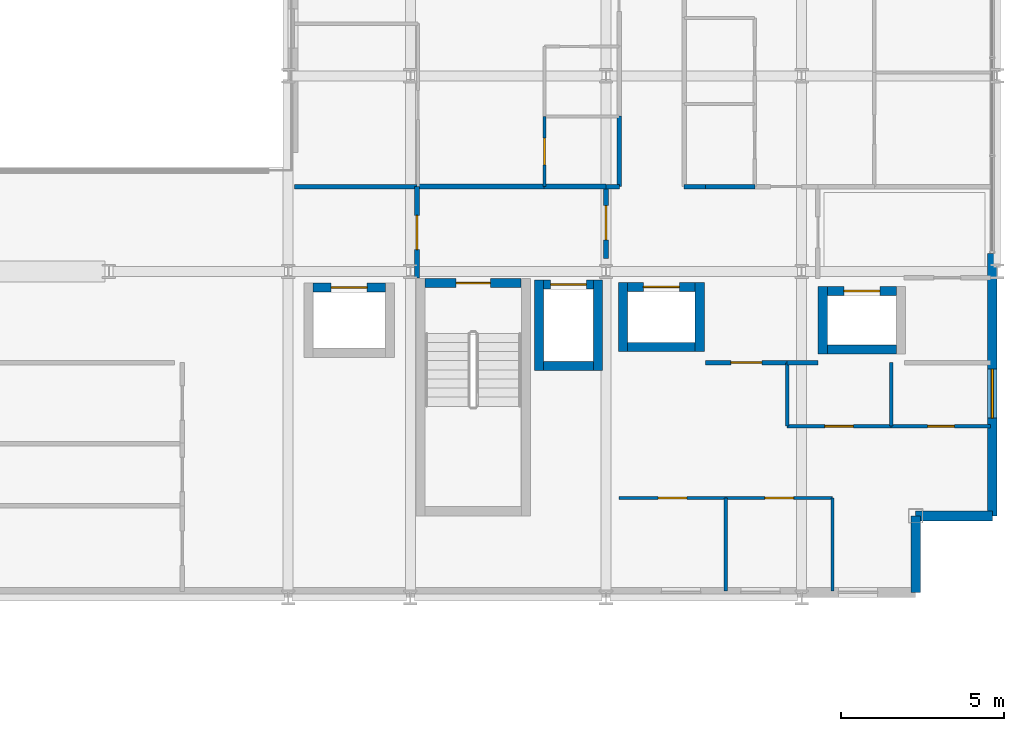
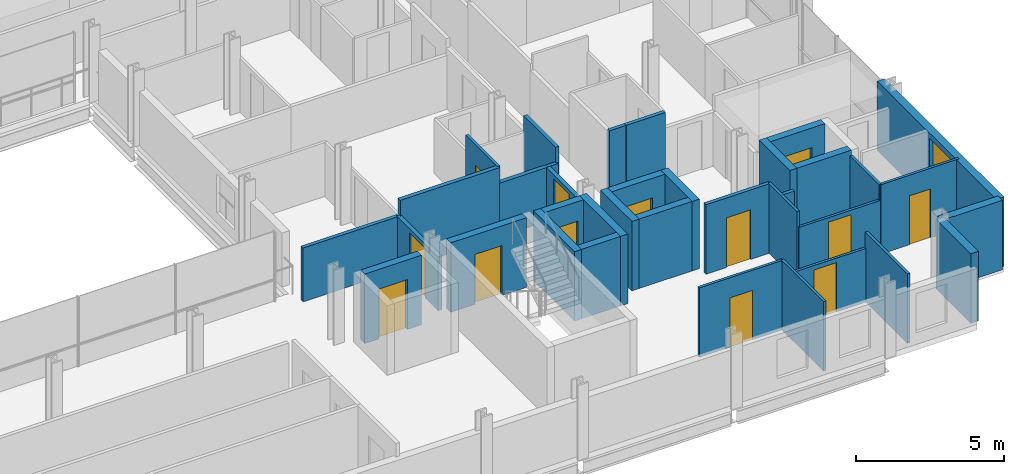
# One storey, part 34 of 40: 36 walls, 13 doors, 1 window, 14 openings.
"""IFC4 building model written with IfcOpenShell, lengths in metres."""

from ifc_helpers import new_model, si_unit, direction, frame, frame_2d, origin, place, context, subcontext, project, spatial, rectangle, extrude, material, layer, layer_set, type_object, element, fill, save


model = new_model("IFC4")

# Units and contexts
model_context = context("Model", 3, precision=1e-05, world=origin(), true_north=direction((0.0, 1.0)))
body_context = subcontext(model_context, "Body", "Model", "MODEL_VIEW")
ifc_project = project(units=[si_unit("LENGTHUNIT", "METRE"), si_unit("AREAUNIT", "SQUARE_METRE"), si_unit("VOLUMEUNIT", "CUBIC_METRE"), si_unit("PLANEANGLEUNIT", "RADIAN"), si_unit("MASSUNIT", "GRAM", prefix="KILO")], contexts=[model_context])

# Site, building, storey
site_placement = place(None, origin())
site = spatial("IfcSite", under=ifc_project, at=site_placement, CompositionType="ELEMENT")
building_placement = place(site_placement, origin())
building = spatial("IfcBuilding", under=site, at=building_placement, Name="Brevholm Reach", CompositionType="ELEMENT")
storey_placement = place(building_placement, frame((0.0, 0.0, 62.10009765625)))
storey = spatial("IfcBuildingStorey", under=building, at=storey_placement, Name="L17", CompositionType="ELEMENT", Elevation=62.10009765625)

# Wall, opening, door
ifc_material_1 = material(Name="Concrete C50/60", Category="concrete")
ifc_layer_1 = layer(ifc_material_1, 0.280029296875)
ifc_layer_set_1 = layer_set([ifc_layer_1], Name="Concrete C50/60")
wall_type_1 = type_object("IfcWallType", Name="WAL-COR-280", PredefinedType="SHEAR", material=ifc_layer_set_1)
wall_1_placement = place(storey_placement, frame((45.39990234375, 9.639892578125, 0.0), z_axis=(0.0, 0.0, 1.0), x_axis=(-1.0, 0.0, 0.0)))
wall_1 = element("IfcWall", 1, at=wall_1_placement, inside=storey, type_object=wall_type_1, Name="L17 Escape Stair ST-2 Core Wall N", PredefinedType="SHEAR", context=body_context, shape_type="SweptSolid", body=[
    extrude(rectangle(XDim=2.949951171875, YDim=0.280029296875, at=frame_2d((1.47509765625, 0.0))), origin(), (0.0, 0.0, 1.0), 2.869873046875),
])
opening_1_placement = place(wall_1_placement, frame((0.949951171875, 0.0, 0.0)))
opening_1 = element("IfcOpeningElement", 2, at=opening_1_placement, cuts=wall_1, Name="Opening SD-ST-2", PredefinedType="OPENING", context=body_context, shape_type="SweptSolid", body=[
    extrude(rectangle(XDim=1.050048828125, YDim=2.06005859375, at=frame_2d((0.52490234375, 1.030029296875))), frame((0.0, 0.14990234375, 0.0), z_axis=(0.0, -1.0, 0.0), x_axis=(1.0, 0.0, 0.0)), (0.0, 0.0, 1.0), 0.300048828125),
])
ifc_material_2 = material(Name="Hardwood-Lipped Steel-Core Fire and Smoke Door", Category="steel")
door_type_1 = type_object("IfcDoorType", Name="DOR-INT-FD60S", OperationType="NOTDEFINED", PredefinedType="DOOR", material=ifc_material_2)
door_1_placement = place(opening_1_placement, origin())
door_1 = element("IfcDoor", 3, at=door_1_placement, inside=storey, type_object=door_type_1, Name="L17 Protected Stair ST-2 Lobby Door", OperationType="SINGLE_SWING_RIGHT", OverallHeight=2.06005859375, OverallWidth=1.050048828125, PredefinedType="DOOR", context=body_context, shape_type="SweptSolid", body=[
    extrude(rectangle(XDim=1.050048828125, YDim=2.06005859375, at=frame_2d((0.52490234375, 1.030029296875))), frame((0.0, 0.02490234375, 0.0), z_axis=(0.0, -1.0, 0.0), x_axis=(1.0, 0.0, 0.0)), (0.0, 0.0, 1.0), 0.050048828125),
])
fill(opening_1, door_1)

# Walls
for number, where, z_axis, x_axis, name in (
    (4, (45.949951171875, 6.9599609375, 0.0), (0.0, 0.0, 1.0), (0.0, 1.0, 0.0), "L17 Lift FFL-2 Shaft Wall W"),
    (5, (47.75, 6.9599609375, 0.0), (0.0, 0.0, 1.0), (0.0, 1.0, 0.0), "L17 Lift FFL-2 Shaft Wall E"),
):
    element("IfcWall", number, at=place(storey_placement, frame(where, z_axis=z_axis, x_axis=x_axis)), inside=storey, type_object=wall_type_1, Name=name, PredefinedType="SHEAR", context=body_context, shape_type="SweptSolid", body=[
        extrude(rectangle(XDim=2.780029296875, YDim=0.280029296875, at=frame_2d((1.39013671875, 0.0))), origin(), (0.0, 0.0, 1.0), 2.869873046875),
    ])
wall_2_placement = place(storey_placement, frame((46.090087890625, 7.10009765625, 0.0), z_axis=(0.0, 0.0, 1.0), x_axis=(1.0, 0.0, 0.0)))
element("IfcWall", 6, at=wall_2_placement, inside=storey, type_object=wall_type_1, Name="L17 Lift FFL-2 Shaft Wall S", PredefinedType="SHEAR", context=body_context, shape_type="SweptSolid", body=[
    extrude(rectangle(XDim=1.52001953125, YDim=0.280029296875, at=frame_2d((0.760009765625, 0.0))), origin(), (0.0, 0.0, 1.0), 2.869873046875),
])

# Wall, opening, door
wall_3_placement = place(storey_placement, frame((46.090087890625, 9.60009765625, 0.0), z_axis=(0.0, 0.0, 1.0), x_axis=(1.0, 0.0, 0.0)))
wall_3 = element("IfcWall", 7, at=wall_3_placement, inside=storey, type_object=wall_type_1, Name="L17 Lift FFL-2 Shaft Wall N", PredefinedType="SHEAR", context=body_context, shape_type="SweptSolid", body=[
    extrude(rectangle(XDim=1.52001953125, YDim=0.280029296875, at=frame_2d((0.760009765625, 0.0))), origin(), (0.0, 0.0, 1.0), 2.869873046875),
])
opening_2_placement = place(wall_3_placement, frame((0.2099609375, 0.0, 0.0)))
opening_2 = element("IfcOpeningElement", 8, at=opening_2_placement, cuts=wall_3, Name="Opening LD-FFL-2", PredefinedType="OPENING", context=body_context, shape_type="SweptSolid", body=[
    extrude(rectangle(XDim=1.10009765625, YDim=2.06005859375, at=frame_2d((0.550048828125, 1.030029296875))), frame((0.0, 0.14990234375, 0.0), z_axis=(0.0, -1.0, 0.0), x_axis=(1.0, 0.0, 0.0)), (0.0, 0.0, 1.0), 0.300048828125),
])
ifc_material_3 = material(Name="Brushed Stainless Steel Fire-Rated Sliding Lift Door", Category="steel")
door_type_2 = type_object("IfcDoorType", Name="DOR-LFT-1100", OperationType="NOTDEFINED", PredefinedType="DOOR", material=ifc_material_3)
door_2_placement = place(opening_2_placement, origin())
door_2 = element("IfcDoor", 9, at=door_2_placement, inside=storey, type_object=door_type_2, Name="L17 Lift FFL-2 Sliding Landing Door", OperationType="SLIDING_TO_RIGHT", OverallHeight=2.06005859375, OverallWidth=1.10009765625, PredefinedType="DOOR", context=body_context, shape_type="SweptSolid", body=[
    extrude(rectangle(XDim=1.10009765625, YDim=2.06005859375, at=frame_2d((0.550048828125, 1.030029296875))), frame((0.0, 0.02490234375, 0.0), z_axis=(0.0, -1.0, 0.0), x_axis=(1.0, 0.0, 0.0)), (0.0, 0.0, 1.0), 0.050048828125),
])
fill(opening_2, door_2)

# Walls
for number, where, z_axis, x_axis, name in (
    (10, (48.52490234375, 7.534912109375, 0.0), (0.0, 0.0, 1.0), (0.0, 1.0, 0.0), "L17 Lift PL-L1 Shaft Wall W"),
    (11, (50.875, 7.534912109375, 0.0), (0.0, 0.0, 1.0), (0.0, 1.0, 0.0), "L17 Lift PL-L1 Shaft Wall E"),
):
    element("IfcWall", number, at=place(storey_placement, frame(where, z_axis=z_axis, x_axis=x_axis)), inside=storey, type_object=wall_type_1, Name=name, PredefinedType="SHEAR", context=body_context, shape_type="SweptSolid", body=[
        extrude(rectangle(XDim=2.130126953125, YDim=0.280029296875, at=frame_2d((1.06494140625, 0.0))), origin(), (0.0, 0.0, 1.0), 2.869873046875),
    ])
wall_4_placement = place(storey_placement, frame((48.6650390625, 7.675048828125, 0.0), z_axis=(0.0, 0.0, 1.0), x_axis=(1.0, 0.0, 0.0)))
element("IfcWall", 12, at=wall_4_placement, inside=storey, type_object=wall_type_1, Name="L17 Lift PL-L1 Shaft Wall S", PredefinedType="SHEAR", context=body_context, shape_type="SweptSolid", body=[
    extrude(rectangle(XDim=2.070068359375, YDim=0.280029296875, at=frame_2d((1.03515625, 0.0))), origin(), (0.0, 0.0, 1.0), 2.869873046875),
])

# Wall, opening, door
wall_5_placement = place(storey_placement, frame((48.6650390625, 9.52490234375, 0.0), z_axis=(0.0, 0.0, 1.0), x_axis=(1.0, 0.0, 0.0)))
wall_5 = element("IfcWall", 13, at=wall_5_placement, inside=storey, type_object=wall_type_1, Name="L17 Lift PL-L1 Shaft Wall N", PredefinedType="SHEAR", context=body_context, shape_type="SweptSolid", body=[
    extrude(rectangle(XDim=2.070068359375, YDim=0.280029296875, at=frame_2d((1.03515625, 0.0))), origin(), (0.0, 0.0, 1.0), 2.869873046875),
])
opening_3_placement = place(wall_5_placement, frame((0.485107421875, 0.0, 0.0)))
opening_3 = element("IfcOpeningElement", 14, at=opening_3_placement, cuts=wall_5, Name="Opening LD-PL-L1", PredefinedType="OPENING", context=body_context, shape_type="SweptSolid", body=[
    extrude(rectangle(XDim=1.10009765625, YDim=2.06005859375, at=frame_2d((0.550048828125, 1.030029296875))), frame((0.0, 0.14990234375, 0.0), z_axis=(0.0, -1.0, 0.0), x_axis=(1.0, 0.0, 0.0)), (0.0, 0.0, 1.0), 0.300048828125),
])
door_3_placement = place(opening_3_placement, origin())
door_3 = element("IfcDoor", 15, at=door_3_placement, inside=storey, type_object=door_type_2, Name="L17 Lift PL-L1 Sliding Landing Door", OperationType="SLIDING_TO_LEFT", OverallHeight=2.06005859375, OverallWidth=1.10009765625, PredefinedType="DOOR", context=body_context, shape_type="SweptSolid", body=[
    extrude(rectangle(XDim=1.10009765625, YDim=2.06005859375, at=frame_2d((0.550048828125, 1.030029296875))), frame((0.0, 0.02490234375, 0.0), z_axis=(0.0, -1.0, 0.0), x_axis=(1.0, 0.0, 0.0)), (0.0, 0.0, 1.0), 0.050048828125),
])
fill(opening_3, door_3)

# Walls
wall_6_placement = place(storey_placement, frame((54.64990234375, 7.4599609375, 0.0), z_axis=(0.0, 0.0, 1.0), x_axis=(0.0, 1.0, 0.0)))
element("IfcWall", 16, at=wall_6_placement, inside=storey, type_object=wall_type_1, Name="L17 Lift PL-L2 Shaft Wall W", PredefinedType="SHEAR", context=body_context, shape_type="SweptSolid", body=[
    extrude(rectangle(XDim=2.080078125, YDim=0.280029296875, at=frame_2d((1.0400390625, 0.0))), origin(), (0.0, 0.0, 1.0), 2.869873046875),
])
wall_7_placement = place(storey_placement, frame((54.7900390625, 7.60009765625, 0.0), z_axis=(0.0, 0.0, 1.0), x_axis=(1.0, 0.0, 0.0)))
element("IfcWall", 17, at=wall_7_placement, inside=storey, type_object=wall_type_1, Name="L17 Lift PL-L2 Shaft Wall S", PredefinedType="SHEAR", context=body_context, shape_type="SweptSolid", body=[
    extrude(rectangle(XDim=2.119873046875, YDim=0.280029296875, at=frame_2d((1.06005859375, 0.0))), origin(), (0.0, 0.0, 1.0), 2.869873046875),
])

# Wall, opening, door
wall_8_placement = place(storey_placement, frame((54.7900390625, 9.39990234375, 0.0), z_axis=(0.0, 0.0, 1.0), x_axis=(1.0, 0.0, 0.0)))
wall_8 = element("IfcWall", 18, at=wall_8_placement, inside=storey, type_object=wall_type_1, Name="L17 Lift PL-L2 Shaft Wall N", PredefinedType="SHEAR", context=body_context, shape_type="SweptSolid", body=[
    extrude(rectangle(XDim=2.119873046875, YDim=0.280029296875, at=frame_2d((1.06005859375, 0.0))), origin(), (0.0, 0.0, 1.0), 2.869873046875),
])
opening_4_placement = place(wall_8_placement, frame((0.510009765625, 0.0, 0.0)))
opening_4 = element("IfcOpeningElement", 19, at=opening_4_placement, cuts=wall_8, Name="Opening LD-PL-L2", PredefinedType="OPENING", context=body_context, shape_type="SweptSolid", body=[
    extrude(rectangle(XDim=1.10009765625, YDim=2.06005859375, at=frame_2d((0.550048828125, 1.030029296875))), frame((0.0, 0.14990234375, 0.0), z_axis=(0.0, -1.0, 0.0), x_axis=(1.0, 0.0, 0.0)), (0.0, 0.0, 1.0), 0.300048828125),
])
door_4_placement = place(opening_4_placement, origin())
door_4 = element("IfcDoor", 20, at=door_4_placement, inside=storey, type_object=door_type_2, Name="L17 Lift PL-L2 Sliding Landing Door", OperationType="SLIDING_TO_RIGHT", OverallHeight=2.06005859375, OverallWidth=1.10009765625, PredefinedType="DOOR", context=body_context, shape_type="SweptSolid", body=[
    extrude(rectangle(XDim=1.10009765625, YDim=2.06005859375, at=frame_2d((0.550048828125, 1.030029296875))), frame((0.0, 0.02490234375, 0.0), z_axis=(0.0, -1.0, 0.0), x_axis=(1.0, 0.0, 0.0)), (0.0, 0.0, 1.0), 0.050048828125),
])
fill(opening_4, door_4)

wall_9_placement = place(storey_placement, frame((39.010009765625, 9.5, 0.0), z_axis=(0.0, 0.0, 1.0), x_axis=(1.0, 0.0, 0.0)))
wall_9 = element("IfcWall", 21, at=wall_9_placement, inside=storey, type_object=wall_type_1, Name="L17 Lift PL-S1 Shaft Wall N", PredefinedType="SHEAR", context=body_context, shape_type="SweptSolid", body=[
    extrude(rectangle(XDim=2.219970703125, YDim=0.280029296875, at=frame_2d((1.10986328125, 0.0))), origin(), (0.0, 0.0, 1.0), 2.869873046875),
])
opening_5_placement = place(wall_9_placement, frame((0.56005859375, 0.0, 0.0)))
opening_5 = element("IfcOpeningElement", 22, at=opening_5_placement, cuts=wall_9, Name="Opening LD-PL-S1", PredefinedType="OPENING", context=body_context, shape_type="SweptSolid", body=[
    extrude(rectangle(XDim=1.10009765625, YDim=2.06005859375, at=frame_2d((0.550048828125, 1.030029296875))), frame((0.0, 0.14990234375, 0.0), z_axis=(0.0, -1.0, 0.0), x_axis=(1.0, 0.0, 0.0)), (0.0, 0.0, 1.0), 0.300048828125),
])
door_5_placement = place(opening_5_placement, origin())
door_5 = element("IfcDoor", 23, at=door_5_placement, inside=storey, type_object=door_type_2, Name="L17 Lift PL-S1 Sliding Landing Door", OperationType="SLIDING_TO_LEFT", OverallHeight=2.06005859375, OverallWidth=1.10009765625, PredefinedType="DOOR", context=body_context, shape_type="SweptSolid", body=[
    extrude(rectangle(XDim=1.10009765625, YDim=2.06005859375, at=frame_2d((0.550048828125, 1.030029296875))), frame((0.0, 0.02490234375, 0.0), z_axis=(0.0, -1.0, 0.0), x_axis=(1.0, 0.0, 0.0)), (0.0, 0.0, 1.0), 0.050048828125),
])
fill(opening_5, door_5)

# Walls
ifc_material_4 = material(Name="Concrete C40/50", Category="concrete")
ifc_layer_2 = layer(ifc_material_4, 0.300048828125)
ifc_layer_set_2 = layer_set([ifc_layer_2], Name="Concrete C40/50")
wall_type_2 = type_object("IfcWallType", Name="WAL-EXT-300", PredefinedType="STANDARD", material=ifc_layer_set_2)
for number, where, z_axis, x_axis, name in (
    (24, (57.5, 0.14990234375, 0.0), (0.0, 0.0, 1.0), (0.0, 1.0, 0.0), "L17 Facade Wall WAL-L17-CSE1"),
    (25, (57.5, 2.5, 0.0), (0.0, 0.0, 1.0), (1.0, 0.0, 0.0), "L17 Facade Wall WAL-L17-CSE2"),
):
    element("IfcWall", number, at=place(storey_placement, frame(where, z_axis=z_axis, x_axis=x_axis)), inside=storey, type_object=wall_type_2, Name=name, PredefinedType="STANDARD", context=body_context, shape_type="SweptSolid", body=[
        extrude(rectangle(XDim=2.35009765625, YDim=0.300048828125, at=frame_2d((1.175048828125, 0.0))), origin(), (0.0, 0.0, 1.0), 2.869873046875),
    ])

# Wall, opening, window
wall_10_placement = place(storey_placement, frame((59.85009765625, 2.5, 0.0), z_axis=(0.0, 0.0, 1.0), x_axis=(0.0, 1.0, 0.0)))
wall_10 = element("IfcWall", 26, at=wall_10_placement, inside=storey, type_object=wall_type_2, Name="L17 Facade Wall WAL-L17-E-S", PredefinedType="STANDARD", context=body_context, shape_type="SweptSolid", body=[
    extrude(rectangle(XDim=8.050048828125, YDim=0.300048828125, at=frame_2d((4.02490234375, 0.0))), origin(), (0.0, 0.0, 1.0), 2.869873046875),
])
opening_6_placement = place(wall_10_placement, frame((3.0, 0.0, 0.85009765625)))
opening_6 = element("IfcOpeningElement", 27, at=opening_6_placement, cuts=wall_10, Name="Opening WN-05", PredefinedType="OPENING", context=body_context, shape_type="SweptSolid", body=[
    extrude(rectangle(XDim=1.5, YDim=1.800048828125, at=frame_2d((0.75, 0.89990234375))), frame((0.0, 0.159912109375, 0.0), z_axis=(0.0, -1.0, 0.0), x_axis=(1.0, 0.0, 0.0)), (0.0, 0.0, 1.0), 0.320068359375),
])
ifc_material_5 = material(Name="Dark Anodised Aluminium and Solar-Control IGU Glass", Category="aluminium")
window_type = type_object("IfcWindowType", Name="WIN-RES-1500", PartitioningType="SINGLE_PANEL", PredefinedType="WINDOW", material=ifc_material_5)
window_placement = place(opening_6_placement, origin())
window = element("IfcWindow", 28, at=window_placement, inside=storey, type_object=window_type, Name="L17 Window WIN-L17-ES-1", OverallHeight=1.800048828125, OverallWidth=1.5, PartitioningType="SINGLE_PANEL", PredefinedType="WINDOW", context=body_context, shape_type="SweptSolid", body=[
    extrude(rectangle(XDim=1.5, YDim=1.800048828125, at=frame_2d((0.75, 0.89990234375))), frame((0.0, 0.030029296875, 0.0), z_axis=(0.0, -1.0, 0.0), x_axis=(1.0, 0.0, 0.0)), (0.0, 0.0, 1.0), 0.06005859375),
])
fill(opening_6, window)

# Wall
ifc_material_6 = material(Name="Moisture-Resistant Acoustic Gypsum Stud Partition 100 mm", Category="gypsum")
ifc_layer_3 = layer(ifc_material_6, 0.10009765625)
ifc_layer_set_3 = layer_set([ifc_layer_3], Name="Moisture-Resistant Acoustic Gypsum Stud Partition 100 mm")
wall_type_3 = type_object("IfcWallType", Name="WAL-PRT-100", PredefinedType="PARTITIONING", material=ifc_layer_set_3)
wall_11_placement = place(storey_placement, frame((56.75, 5.25, 0.0), z_axis=(0.0, 0.0, 1.0), x_axis=(0.0, 1.0, 0.0)))
element("IfcWall", 29, at=wall_11_placement, inside=storey, type_object=wall_type_3, Name="L17 Internal Partition 076", PredefinedType="PARTITIONING", context=body_context, shape_type="SweptSolid", body=[
    extrude(rectangle(XDim=1.949951171875, YDim=0.10009765625, at=frame_2d((0.97509765625, 0.0))), origin(), (0.0, 0.0, 1.0), 2.869873046875),
])

# Wall, opening, door
wall_12_placement = place(storey_placement, frame((56.75, 5.25, 0.0), z_axis=(0.0, 0.0, 1.0), x_axis=(1.0, 0.0, 0.0)))
wall_12 = element("IfcWall", 30, at=wall_12_placement, inside=storey, type_object=wall_type_3, Name="L17 Internal Partition 077", PredefinedType="PARTITIONING", context=body_context, shape_type="SweptSolid", body=[
    extrude(rectangle(XDim=3.050048828125, YDim=0.10009765625, at=frame_2d((1.52490234375, 0.0))), origin(), (0.0, 0.0, 1.0), 2.869873046875),
])
opening_7_placement = place(wall_12_placement, frame((1.114990234375, 0.0, 0.0)))
opening_7 = element("IfcOpeningElement", 31, at=opening_7_placement, cuts=wall_12, Name="Opening ID-03", PredefinedType="OPENING", context=body_context, shape_type="SweptSolid", body=[
    extrude(rectangle(XDim=0.820068359375, YDim=2.02001953125, at=frame_2d((0.41015625, 1.010009765625))), frame((0.0, 0.06005859375, 0.0), z_axis=(0.0, -1.0, 0.0), x_axis=(1.0, 0.0, 0.0)), (0.0, 0.0, 1.0), 0.1201171875),
])
ifc_material_7 = material(Name="Moisture-Resistant Painted Timber Internal Bathroom Door", Category="wood")
door_type_3 = type_object("IfcDoorType", Name="DOR-BATH-820", OperationType="NOTDEFINED", PredefinedType="DOOR", material=ifc_material_7)
door_6_placement = place(opening_7_placement, origin())
door_6 = element("IfcDoor", 32, at=door_6_placement, inside=storey, type_object=door_type_3, Name="L17 Internal Door 026", OperationType="SINGLE_SWING_RIGHT", OverallHeight=2.02001953125, OverallWidth=0.820068359375, PredefinedType="DOOR", context=body_context, shape_type="SweptSolid", body=[
    extrude(rectangle(XDim=0.820068359375, YDim=2.02001953125, at=frame_2d((0.41015625, 1.010009765625))), frame((0.0, 0.02490234375, 0.0), z_axis=(0.0, -1.0, 0.0), x_axis=(1.0, 0.0, 0.0)), (0.0, 0.0, 1.0), 0.050048828125),
])
fill(opening_7, door_6)

wall_13_placement = place(storey_placement, frame((53.55810546875, 5.25, 0.0), z_axis=(0.0, 0.0, 1.0), x_axis=(1.0, 0.0, 0.0)))
wall_13 = element("IfcWall", 33, at=wall_13_placement, inside=storey, type_object=wall_type_3, Name="L17 Internal Partition 078", PredefinedType="PARTITIONING", context=body_context, shape_type="SweptSolid", body=[
    extrude(rectangle(XDim=3.18798828125, YDim=0.10009765625, at=frame_2d((1.593994140625, 0.0))), origin(), (0.0, 0.0, 1.0), 2.224609375),
])
opening_8_placement = place(wall_13_placement, frame((1.154052734375, 0.0, 0.0)))
opening_8 = element("IfcOpeningElement", 34, at=opening_8_placement, cuts=wall_13, Name="Opening ID-01", PredefinedType="OPENING", context=body_context, shape_type="SweptSolid", body=[
    extrude(rectangle(XDim=0.8798828125, YDim=2.0400390625, at=frame_2d((0.43994140625, 1.02001953125))), frame((0.0, 0.06005859375, 0.0), z_axis=(0.0, -1.0, 0.0), x_axis=(1.0, 0.0, 0.0)), (0.0, 0.0, 1.0), 0.1201171875),
])
ifc_material_8 = material(Name="Lacquered Ash Solid-Core Acoustic Internal Door", Category="timber")
door_type_4 = type_object("IfcDoorType", Name="DOR-INT-880", OperationType="NOTDEFINED", PredefinedType="DOOR", material=ifc_material_8)
door_7_placement = place(opening_8_placement, origin())
door_7 = element("IfcDoor", 35, at=door_7_placement, inside=storey, type_object=door_type_4, Name="L17 Internal Door 027", OperationType="SINGLE_SWING_LEFT", OverallHeight=2.0400390625, OverallWidth=0.8798828125, PredefinedType="DOOR", context=body_context, shape_type="SweptSolid", body=[
    extrude(rectangle(XDim=0.8798828125, YDim=2.0400390625, at=frame_2d((0.43994140625, 1.02001953125))), frame((0.0, 0.02490234375, 0.0), z_axis=(0.0, -1.0, 0.0), x_axis=(1.0, 0.0, 0.0)), (0.0, 0.0, 1.0), 0.050048828125),
])
fill(opening_8, door_7)

# Walls
wall_14_placement = place(storey_placement, frame((53.55810546875, 5.25, 0.0), z_axis=(0.0, 0.0, 1.0), x_axis=(0.0, 1.0, 0.0)))
element("IfcWall", 36, at=wall_14_placement, inside=storey, type_object=wall_type_3, Name="L17 Internal Partition 079", PredefinedType="PARTITIONING", context=body_context, shape_type="SweptSolid", body=[
    extrude(rectangle(XDim=1.946044921875, YDim=0.10009765625, at=frame_2d((0.97314453125, 0.0))), origin(), (0.0, 0.0, 1.0), 2.869873046875),
])
wall_15_placement = place(storey_placement, frame((51.675048828125, 0.199951171875, 0.0), z_axis=(0.0, 0.0, 1.0), x_axis=(0.0, 1.0, 0.0)))
element("IfcWall", 37, at=wall_15_placement, inside=storey, type_object=wall_type_3, Name="L17 Internal Partition 080", PredefinedType="PARTITIONING", context=body_context, shape_type="SweptSolid", body=[
    extrude(rectangle(XDim=2.85009765625, YDim=0.10009765625, at=frame_2d((1.425048828125, 0.0))), origin(), (0.0, 0.0, 1.0), 2.869873046875),
])

# Wall, opening, door
wall_16_placement = place(storey_placement, frame((48.39990234375, 3.050048828125, 0.0), z_axis=(0.0, 0.0, 1.0), x_axis=(1.0, 0.0, 0.0)))
wall_16 = element("IfcWall", 38, at=wall_16_placement, inside=storey, type_object=wall_type_3, Name="L17 Internal Partition 081", PredefinedType="PARTITIONING", context=body_context, shape_type="SweptSolid", body=[
    extrude(rectangle(XDim=3.275146484375, YDim=0.10009765625, at=frame_2d((1.6376953125, 0.0))), origin(), (0.0, 0.0, 1.0), 2.869873046875),
])
opening_9_placement = place(wall_16_placement, frame((1.197509765625, 0.0, 0.0)))
opening_9 = element("IfcOpeningElement", 39, at=opening_9_placement, cuts=wall_16, Name="Opening ID-01", PredefinedType="OPENING", context=body_context, shape_type="SweptSolid", body=[
    extrude(rectangle(XDim=0.8798828125, YDim=2.0400390625, at=frame_2d((0.43994140625, 1.02001953125))), frame((0.0, 0.06005859375, 0.0), z_axis=(0.0, -1.0, 0.0), x_axis=(1.0, 0.0, 0.0)), (0.0, 0.0, 1.0), 0.1201171875),
])
door_8_placement = place(opening_9_placement, origin())
door_8 = element("IfcDoor", 40, at=door_8_placement, inside=storey, type_object=door_type_4, Name="L17 Internal Door 028", OperationType="SINGLE_SWING_RIGHT", OverallHeight=2.0400390625, OverallWidth=0.8798828125, PredefinedType="DOOR", context=body_context, shape_type="SweptSolid", body=[
    extrude(rectangle(XDim=0.8798828125, YDim=2.0400390625, at=frame_2d((0.43994140625, 1.02001953125))), frame((0.0, 0.02490234375, 0.0), z_axis=(0.0, -1.0, 0.0), x_axis=(1.0, 0.0, 0.0)), (0.0, 0.0, 1.0), 0.050048828125),
])
fill(opening_9, door_8)

# Wall
wall_17_placement = place(storey_placement, frame((54.949951171875, 0.199951171875, 0.0), z_axis=(0.0, 0.0, 1.0), x_axis=(0.0, 1.0, 0.0)))
element("IfcWall", 41, at=wall_17_placement, inside=storey, type_object=wall_type_3, Name="L17 Internal Partition 082", PredefinedType="PARTITIONING", context=body_context, shape_type="SweptSolid", body=[
    extrude(rectangle(XDim=2.85009765625, YDim=0.10009765625, at=frame_2d((1.425048828125, 0.0))), origin(), (0.0, 0.0, 1.0), 2.869873046875),
])

# Wall, opening, door
wall_18_placement = place(storey_placement, frame((51.678955078125, 3.050048828125, 0.0), z_axis=(0.0, 0.0, 1.0), x_axis=(1.0, 0.0, 0.0)))
wall_18 = element("IfcWall", 42, at=wall_18_placement, inside=storey, type_object=wall_type_3, Name="L17 Internal Partition 083", PredefinedType="PARTITIONING", context=body_context, shape_type="SweptSolid", body=[
    extrude(rectangle(XDim=3.27099609375, YDim=0.10009765625, at=frame_2d((1.635498046875, 0.0))), origin(), (0.0, 0.0, 1.0), 2.224609375),
])
opening_10_placement = place(wall_18_placement, frame((1.195556640625, 0.0, 0.0)))
opening_10 = element("IfcOpeningElement", 43, at=opening_10_placement, cuts=wall_18, Name="Opening ID-01", PredefinedType="OPENING", context=body_context, shape_type="SweptSolid", body=[
    extrude(rectangle(XDim=0.8798828125, YDim=2.0400390625, at=frame_2d((0.43994140625, 1.02001953125))), frame((0.0, 0.06005859375, 0.0), z_axis=(0.0, -1.0, 0.0), x_axis=(1.0, 0.0, 0.0)), (0.0, 0.0, 1.0), 0.1201171875),
])
door_9_placement = place(opening_10_placement, origin())
door_9 = element("IfcDoor", 44, at=door_9_placement, inside=storey, type_object=door_type_4, Name="L17 Internal Door 029", OperationType="SINGLE_SWING_LEFT", OverallHeight=2.0400390625, OverallWidth=0.8798828125, PredefinedType="DOOR", context=body_context, shape_type="SweptSolid", body=[
    extrude(rectangle(XDim=0.8798828125, YDim=2.0400390625, at=frame_2d((0.43994140625, 1.02001953125))), frame((0.0, 0.02490234375, 0.0), z_axis=(0.0, -1.0, 0.0), x_axis=(1.0, 0.0, 0.0)), (0.0, 0.0, 1.0), 0.050048828125),
])
fill(opening_10, door_9)

wall_19_placement = place(storey_placement, frame((46.112060546875, 12.60400390625, 0.0), z_axis=(0.0, 0.0, 1.0), x_axis=(0.0, 1.0, 0.0)))
wall_19 = element("IfcWall", 45, at=wall_19_placement, inside=storey, type_object=wall_type_3, Name="L17 Internal Partition 118", PredefinedType="PARTITIONING", context=body_context, shape_type="SweptSolid", body=[
    extrude(rectangle(XDim=2.14599609375, YDim=0.10009765625, at=frame_2d((1.072998046875, 0.0))), origin(), (0.0, 0.0, 1.0), 2.869873046875),
])
opening_11_placement = place(wall_19_placement, frame((0.6630859375, 0.0, 0.0)))
opening_11 = element("IfcOpeningElement", 46, at=opening_11_placement, cuts=wall_19, Name="Opening ID-03", PredefinedType="OPENING", context=body_context, shape_type="SweptSolid", body=[
    extrude(rectangle(XDim=0.820068359375, YDim=2.02001953125, at=frame_2d((0.41015625, 1.010009765625))), frame((0.0, 0.06005859375, 0.0), z_axis=(0.0, -1.0, 0.0), x_axis=(1.0, 0.0, 0.0)), (0.0, 0.0, 1.0), 0.1201171875),
])
door_10_placement = place(opening_11_placement, origin())
door_10 = element("IfcDoor", 47, at=door_10_placement, inside=storey, type_object=door_type_3, Name="L17 Internal Door 045", OperationType="SINGLE_SWING_LEFT", OverallHeight=2.02001953125, OverallWidth=0.820068359375, PredefinedType="DOOR", context=body_context, shape_type="SweptSolid", body=[
    extrude(rectangle(XDim=0.820068359375, YDim=2.02001953125, at=frame_2d((0.41015625, 1.010009765625))), frame((0.0, 0.02490234375, 0.0), z_axis=(0.0, -1.0, 0.0), x_axis=(1.0, 0.0, 0.0)), (0.0, 0.0, 1.0), 0.050048828125),
])
fill(opening_11, door_10)

# Wall
ifc_material_9 = material(Name="Twin-Stud Acoustic Fire-Rated Gypsum Partition 140 mm", Category="gypsum")
ifc_layer_4 = layer(ifc_material_9, 0.139892578125)
ifc_layer_set_4 = layer_set([ifc_layer_4], Name="Twin-Stud Acoustic Fire-Rated Gypsum Partition 140 mm")
wall_type_4 = type_object("IfcWallType", Name="WAL-PRT-140", PredefinedType="PARTITIONING", material=ifc_layer_set_4)
wall_20_placement = place(storey_placement, frame((53.546630859375, 7.199951171875, 0.0), z_axis=(0.0, 0.0, 1.0), x_axis=(1.0, 0.0, 0.0)))
element("IfcWall", 48, at=wall_20_placement, inside=storey, type_object=wall_type_4, Name="L17 Internal Partition 009", PredefinedType="PARTITIONING", context=body_context, shape_type="SweptSolid", body=[
    extrude(rectangle(XDim=0.953369140625, YDim=0.139892578125, at=frame_2d((0.4765625, 0.0))), origin(), (0.0, 0.0, 1.0), 2.224609375),
])

# Wall, opening, door
wall_21_placement = place(storey_placement, frame((51.050048828125, 7.199951171875, 0.0), z_axis=(0.0, 0.0, 1.0), x_axis=(1.0, 0.0, 0.0)))
wall_21 = element("IfcWall", 49, at=wall_21_placement, inside=storey, type_object=wall_type_4, Name="L17 Internal Partition 010", PredefinedType="PARTITIONING", context=body_context, shape_type="SweptSolid", body=[
    extrude(rectangle(XDim=2.51513671875, YDim=0.139892578125, at=frame_2d((1.257568359375, 0.0))), origin(), (0.0, 0.0, 1.0), 2.869873046875),
])
opening_12_placement = place(wall_21_placement, frame((0.78271484375, 0.0, 0.0)))
opening_12 = element("IfcOpeningElement", 50, at=opening_12_placement, cuts=wall_21, Name="Opening ID-30", PredefinedType="OPENING", context=body_context, shape_type="SweptSolid", body=[
    extrude(rectangle(XDim=0.949951171875, YDim=2.050048828125, at=frame_2d((0.47509765625, 1.02490234375))), frame((0.0, 0.079833984375, 0.0), z_axis=(0.0, -1.0, 0.0), x_axis=(1.0, 0.0, 0.0)), (0.0, 0.0, 1.0), 0.159912109375),
])
ifc_material_10 = material(Name="European Oak Veneered Solid-Core Fire Entrance Door", Category="timber")
door_type_5 = type_object("IfcDoorType", Name="DOR-FLT-FD30S", OperationType="NOTDEFINED", PredefinedType="DOOR", material=ifc_material_10)
door_11_placement = place(opening_12_placement, origin())
door_11 = element("IfcDoor", 51, at=door_11_placement, inside=storey, type_object=door_type_5, Name="L17 Internal Door 007", OperationType="SINGLE_SWING_LEFT", OverallHeight=2.050048828125, OverallWidth=0.949951171875, PredefinedType="DOOR", context=body_context, shape_type="SweptSolid", body=[
    extrude(rectangle(XDim=0.949951171875, YDim=2.050048828125, at=frame_2d((0.47509765625, 1.02490234375))), frame((0.0, 0.02490234375, 0.0), z_axis=(0.0, -1.0, 0.0), x_axis=(1.0, 0.0, 0.0)), (0.0, 0.0, 1.0), 0.050048828125),
])
fill(opening_12, door_11)

# Walls
wall_22_placement = place(storey_placement, frame((51.050048828125, 12.60009765625, 0.0), z_axis=(0.0, 0.0, 1.0), x_axis=(1.0, 0.0, 0.0)))
element("IfcWall", 52, at=wall_22_placement, inside=storey, type_object=wall_type_4, Name="L17 Internal Partition 011", PredefinedType="PARTITIONING", context=body_context, shape_type="SweptSolid", body=[
    extrude(rectangle(XDim=1.523193359375, YDim=0.139892578125, at=frame_2d((0.76171875, 0.0))), origin(), (0.0, 0.0, 1.0), 2.869873046875),
])
wall_23_placement = place(storey_placement, frame((38.438720703125, 12.60009765625, 0.0), z_axis=(0.0, 0.0, 1.0), x_axis=(1.0, 0.0, 0.0)))
element("IfcWall", 53, at=wall_23_placement, inside=storey, type_object=wall_type_4, Name="L17 Internal Partition 029", PredefinedType="PARTITIONING", context=body_context, shape_type="SweptSolid", body=[
    extrude(rectangle(XDim=3.75732421875, YDim=0.139892578125, at=frame_2d((1.878662109375, 0.0))), origin(), (0.0, 0.0, 1.0), 2.224609375),
])
wall_24_placement = place(storey_placement, frame((48.00390625, 12.60009765625, 0.0), z_axis=(0.0, 0.0, 1.0), x_axis=(1.0, 0.0, 0.0)))
element("IfcWall", 54, at=wall_24_placement, inside=storey, type_object=wall_type_4, Name="L17 Internal Partition 030", PredefinedType="PARTITIONING", context=body_context, shape_type="SweptSolid", body=[
    extrude(rectangle(XDim=0.4033203125, YDim=0.139892578125, at=frame_2d((0.20166015625, 0.0))), origin(), (0.0, 0.0, 1.0), 2.224609375),
])
wall_25_placement = place(storey_placement, frame((50.392578125, 12.60009765625, 0.0), z_axis=(0.0, 0.0, 1.0), x_axis=(1.0, 0.0, 0.0)))
element("IfcWall", 55, at=wall_25_placement, inside=storey, type_object=wall_type_4, Name="L17 Internal Partition 031", PredefinedType="PARTITIONING", context=body_context, shape_type="SweptSolid", body=[
    extrude(rectangle(XDim=0.6533203125, YDim=0.139892578125, at=frame_2d((0.32666015625, 0.0))), origin(), (0.0, 0.0, 1.0), 2.869873046875),
])
wall_26_placement = place(storey_placement, frame((48.39990234375, 12.60400390625, 0.0), z_axis=(0.0, 0.0, 1.0), x_axis=(0.0, 1.0, 0.0)))
element("IfcWall", 56, at=wall_26_placement, inside=storey, type_object=wall_type_4, Name="L17 Internal Partition 042", PredefinedType="PARTITIONING", context=body_context, shape_type="SweptSolid", body=[
    extrude(rectangle(XDim=2.1572265625, YDim=0.139892578125, at=frame_2d((1.07861328125, 0.0))), origin(), (0.0, 0.0, 1.0), 2.869873046875),
])

# Wall, opening, door
ifc_material_11 = material(Name="Twin-Frame Fire-Rated Gypsum Board and Mineral Wool 160 mm", Category="gypsum")
ifc_layer_5 = layer(ifc_material_11, 0.159912109375)
ifc_layer_set_5 = layer_set([ifc_layer_5], Name="Twin-Frame Fire-Rated Gypsum Board and Mineral Wool 160 mm")
wall_type_5 = type_object("IfcWallType", Name="WAL-PRT-160", PredefinedType="PARTITIONING", material=ifc_layer_set_5)
wall_27_placement = place(storey_placement, frame((42.199951171875, 9.7900390625, 0.0), z_axis=(0.0, 0.0, 1.0), x_axis=(0.0, 1.0, 0.0)))
wall_27 = element("IfcWall", 57, at=wall_27_placement, inside=storey, type_object=wall_type_5, Name="L17 Internal Partition 019", PredefinedType="PARTITIONING", context=body_context, shape_type="SweptSolid", body=[
    extrude(rectangle(XDim=2.81005859375, YDim=0.159912109375, at=frame_2d((1.405029296875, 0.0))), origin(), (0.0, 0.0, 1.0), 2.224609375),
])
opening_13_placement = place(wall_27_placement, frame((0.8798828125, 0.0, 0.0)))
opening_13 = element("IfcOpeningElement", 58, at=opening_13_placement, cuts=wall_27, Name="Opening FD-01", PredefinedType="OPENING", context=body_context, shape_type="SweptSolid", body=[
    extrude(rectangle(XDim=1.050048828125, YDim=2.06005859375, at=frame_2d((0.52490234375, 1.030029296875))), frame((0.0, 0.08984375, 0.0), z_axis=(0.0, -1.0, 0.0), x_axis=(1.0, 0.0, 0.0)), (0.0, 0.0, 1.0), 0.179931640625),
])
door_12_placement = place(opening_13_placement, origin())
door_12 = element("IfcDoor", 59, at=door_12_placement, inside=storey, type_object=door_type_1, Name="L17 Internal Door 011", OperationType="SINGLE_SWING_LEFT", OverallHeight=2.06005859375, OverallWidth=1.050048828125, PredefinedType="DOOR", context=body_context, shape_type="SweptSolid", body=[
    extrude(rectangle(XDim=1.050048828125, YDim=2.06005859375, at=frame_2d((0.52490234375, 1.030029296875))), frame((0.0, 0.02490234375, 0.0), z_axis=(0.0, -1.0, 0.0), x_axis=(1.0, 0.0, 0.0)), (0.0, 0.0, 1.0), 0.050048828125),
])
fill(opening_13, door_12)

wall_28_placement = place(storey_placement, frame((48.0, 10.388671875, 0.0), z_axis=(0.0, 0.0, 1.0), x_axis=(0.0, 1.0, 0.0)))
wall_28 = element("IfcWall", 60, at=wall_28_placement, inside=storey, type_object=wall_type_5, Name="L17 Internal Partition 020", PredefinedType="PARTITIONING", context=body_context, shape_type="SweptSolid", body=[
    extrude(rectangle(XDim=2.21142578125, YDim=0.159912109375, at=frame_2d((1.105712890625, 0.0))), origin(), (0.0, 0.0, 1.0), 2.224609375),
])
opening_14_placement = place(wall_28_placement, frame((0.58056640625, 0.0, 0.0)))
opening_14 = element("IfcOpeningElement", 61, at=opening_14_placement, cuts=wall_28, Name="Opening FD-01", PredefinedType="OPENING", context=body_context, shape_type="SweptSolid", body=[
    extrude(rectangle(XDim=1.050048828125, YDim=2.06005859375, at=frame_2d((0.52490234375, 1.030029296875))), frame((0.0, 0.08984375, 0.0), z_axis=(0.0, -1.0, 0.0), x_axis=(1.0, 0.0, 0.0)), (0.0, 0.0, 1.0), 0.179931640625),
])
door_13_placement = place(opening_14_placement, origin())
door_13 = element("IfcDoor", 62, at=door_13_placement, inside=storey, type_object=door_type_1, Name="L17 Internal Door 012", OperationType="SINGLE_SWING_RIGHT", OverallHeight=2.06005859375, OverallWidth=1.050048828125, PredefinedType="DOOR", context=body_context, shape_type="SweptSolid", body=[
    extrude(rectangle(XDim=1.050048828125, YDim=2.06005859375, at=frame_2d((0.52490234375, 1.030029296875))), frame((0.0, 0.02490234375, 0.0), z_axis=(0.0, -1.0, 0.0), x_axis=(1.0, 0.0, 0.0)), (0.0, 0.0, 1.0), 0.050048828125),
])
fill(opening_14, door_13)

# Walls
wall_29_placement = place(storey_placement, frame((46.1005859375, 12.60009765625, 0.0), z_axis=(0.0, 0.0, 1.0), x_axis=(1.0, 0.0, 0.0)))
element("IfcWall", 63, at=wall_29_placement, inside=storey, type_object=wall_type_5, Name="L17 Internal Partition 021", PredefinedType="PARTITIONING", context=body_context, shape_type="SweptSolid", body=[
    extrude(rectangle(XDim=1.8994140625, YDim=0.159912109375, at=frame_2d((0.94970703125, 0.0))), origin(), (0.0, 0.0, 1.0), 2.224609375),
])
wall_30_placement = place(storey_placement, frame((42.2236328125, 12.60009765625, 0.0), z_axis=(0.0, 0.0, 1.0), x_axis=(1.0, 0.0, 0.0)))
element("IfcWall", 64, at=wall_30_placement, inside=storey, type_object=wall_type_5, Name="L17 Internal Partition 022", PredefinedType="PARTITIONING", context=body_context, shape_type="SweptSolid", body=[
    extrude(rectangle(XDim=3.895751953125, YDim=0.159912109375, at=frame_2d((1.94775390625, 0.0))), origin(), (0.0, 0.0, 1.0), 2.869873046875),
])

save(model, "model.ifc")
